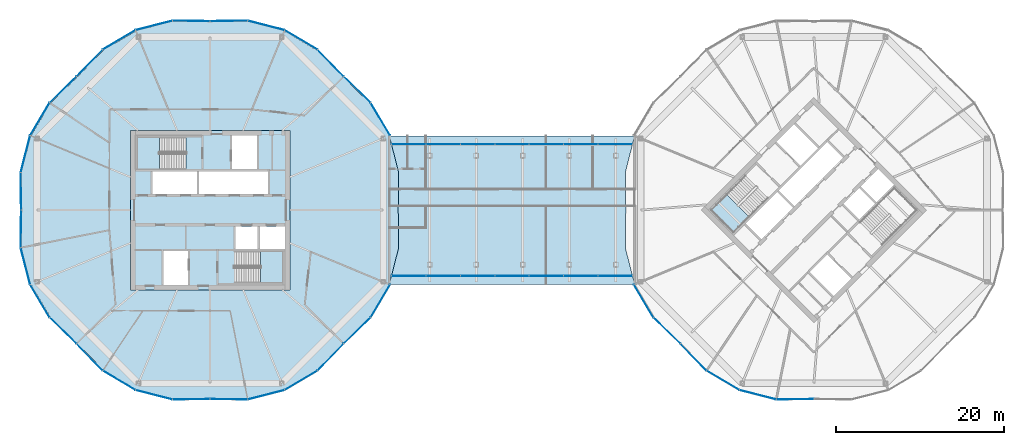
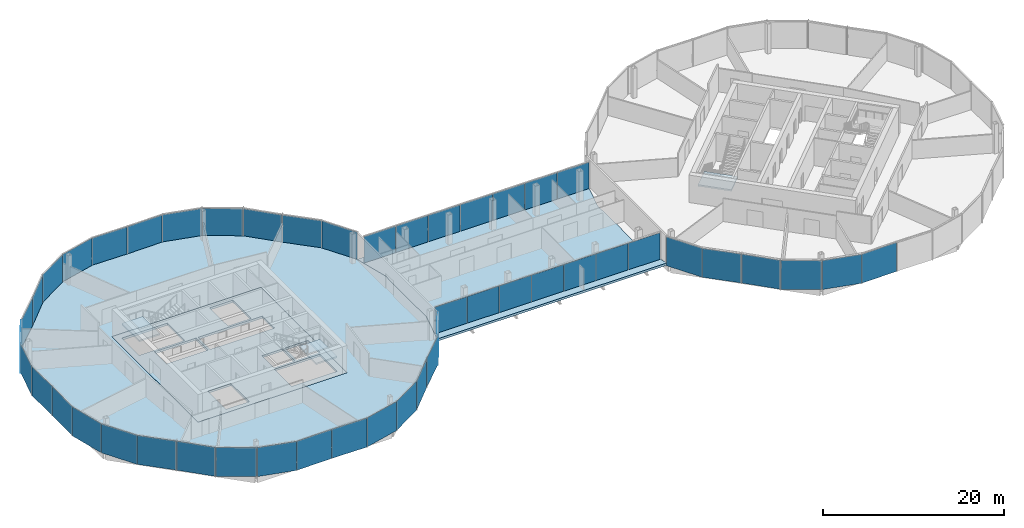
# One storey, part 17 of 25: 48 plates, 6 slabs, 15 elements without a shape of their own.
"""IFC4 building model written with IfcOpenShell, lengths in metres."""

from ifc_helpers import new_model, si_unit, direction, frame, origin, origin_2d, place, context, subcontext, project, spatial, polyline, rectangle, outline, extrude, material, layer, layer_set, type_object, element, aggregate, save


model = new_model("IFC4")

# Units and contexts
model_context = context("Model", 3, precision=1e-05, world=origin(), true_north=direction((0.0, 1.0)))
body_context = subcontext(model_context, "Body", "Model", "MODEL_VIEW")
ifc_project = project(units=[si_unit("LENGTHUNIT", "METRE"), si_unit("AREAUNIT", "SQUARE_METRE"), si_unit("VOLUMEUNIT", "CUBIC_METRE"), si_unit("PLANEANGLEUNIT", "RADIAN"), si_unit("MASSUNIT", "GRAM", prefix="KILO")], contexts=[model_context])

# Site, building, storey
site_placement = place(None, origin())
site = spatial("IfcSite", under=ifc_project, at=site_placement, CompositionType="ELEMENT")
building_placement = place(site_placement, origin())
building = spatial("IfcBuilding", under=site, at=building_placement, Name="Ogive Gate Towers", CompositionType="ELEMENT")
storey_placement = place(building_placement, frame((0.0, 0.0, 152.800048828125)))
storey = spatial("IfcBuildingStorey", under=building, at=storey_placement, Name="L36", CompositionType="ELEMENT", Elevation=152.800048828125)

# Slabs
ifc_material_1 = material(Name="Concrete C40/50", Category="concrete")
ifc_layer_1 = layer(ifc_material_1, 0.300048828125)
ifc_layer_set_1 = layer_set([ifc_layer_1], Name="Core slab C40/50 300 mm")
slab_type_1 = type_object("IfcSlabType", Name="Core slab C40/50 300 mm", PredefinedType="FLOOR", material=ifc_layer_set_1)
slab_1_placement = place(storey_placement, frame((0.0, 0.0, -0.300048828125)))
element("IfcSlab", 1, at=slab_1_placement, inside=storey, type_object=slab_type_1, Name="T1 L36 core slab", PredefinedType="FLOOR", context=body_context, shape_type="SweptSolid", body=[
    extrude(outline(polyline([(-45.5, -9.5), (-45.5, 9.5), (-26.5, 9.5), (-26.5, -9.5), (-45.5, -9.5)]), holes=[polyline([(-42.875, 1.949951171875), (-37.574951171875, 1.949951171875), (-37.574951171875, 4.625), (-42.875, 4.625), (-42.875, 1.949951171875)]), polyline([(-37.324951171875, 4.625), (-37.324951171875, 1.949951171875), (-29.125, 1.949951171875), (-29.125, 4.625), (-37.324951171875, 4.625)]), polyline([(-30.324951171875, -1.949951171875), (-32.97509765625, -1.949951171875), (-32.97509765625, -4.625), (-30.324951171875, -4.625), (-30.324951171875, -1.949951171875)]), polyline([(-27.10009765625, -4.625), (-27.10009765625, -1.949951171875), (-30.074951171875, -1.949951171875), (-30.074951171875, -4.625), (-27.10009765625, -4.625)]), polyline([(-33.375, 4.875), (-30.425048828125, 4.875), (-30.425048828125, 8.89990234375), (-33.375, 8.89990234375), (-33.375, 4.875)]), polyline([(-41.574951171875, -4.875), (-41.574951171875, -8.89990234375), (-38.625, -8.89990234375), (-38.625, -4.875), (-41.574951171875, -4.875)]), polyline([(-44.699951171875, 4.875), (-38.885009765625, 4.875), (-38.885009765625, 8.699951171875), (-44.699951171875, 8.699951171875), (-44.699951171875, 4.875)]), polyline([(-27.300048828125, -8.699951171875), (-27.300048828125, -4.875), (-33.114990234375, -4.875), (-33.114990234375, -8.699951171875), (-27.300048828125, -8.699951171875)])]), origin(), (0.0, 0.0, 1.0), 0.300048828125),
])
ifc_material_2 = material(Name="Concrete C35/45", Category="concrete")
ifc_layer_2 = layer(ifc_material_2, 0.300048828125)
ifc_layer_set_2 = layer_set([ifc_layer_2], Name="Floor slab 300")
slab_type_2 = type_object("IfcSlabType", Name="Floor slab 300", PredefinedType="FLOOR", material=ifc_layer_set_2)
slab_2_placement = place(storey_placement, frame((0.0, 0.0, -0.300048828125)))
element("IfcSlab", 2, at=slab_2_placement, inside=storey, type_object=slab_type_2, Name="T1/L36/SSL001", PredefinedType="FLOOR", context=body_context, shape_type="SweptSolid", body=[
    extrude(outline(polyline([(-13.510498046875, -4.473388671875), (-13.570068359375, 0.0), (-13.510498046875, 4.473388671875), (-14.630615234375, 8.8515625), (-16.934326171875, 12.7392578125), (-20.1396484375, 15.8603515625), (-23.2607421875, 19.065673828125), (-27.1484375, 21.369384765625), (-31.526611328125, 22.489501953125), (-36.0, 22.429931640625), (-40.473388671875, 22.489501953125), (-44.8515625, 21.369384765625), (-48.7392578125, 19.065673828125), (-51.8603515625, 15.8603515625), (-55.065673828125, 12.7392578125), (-57.369384765625, 8.8515625), (-58.489501953125, 4.473388671875), (-58.429931640625, 0.0), (-58.489501953125, -4.473388671875), (-57.369384765625, -8.8515625), (-55.065673828125, -12.7392578125), (-51.8603515625, -15.8603515625), (-48.7392578125, -19.065673828125), (-44.8515625, -21.369384765625), (-40.473388671875, -22.489501953125), (-36.0, -22.429931640625), (-31.526611328125, -22.489501953125), (-27.1484375, -21.369384765625), (-23.2607421875, -19.065673828125), (-20.1396484375, -15.8603515625), (-16.934326171875, -12.7392578125), (-14.630615234375, -8.8515625), (-13.510498046875, -4.473388671875)]), holes=[polyline([(-26.5, -9.5), (-45.5, -9.5), (-45.5, 9.5), (-26.5, 9.5), (-26.5, -9.5)])]), origin(), (0.0, 0.0, 1.0), 0.300048828125),
])
slab_3_placement = place(storey_placement, frame((0.0, 0.0, -0.300048828125)))
element("IfcSlab", 3, at=slab_3_placement, inside=storey, type_object=slab_type_2, Name="BR/L36/SSL001", PredefinedType="FLOOR", context=body_context, shape_type="SweptSolid", body=[
    extrude(outline(polyline([(-14.630615234375, -8.8515625), (14.630615234375, -8.8515625), (14.630615234375, -8.8515625), (13.510498046875, -4.473388671875), (13.570068359375, 0.0), (13.510498046875, 4.473388671875), (14.630615234375, 8.8515625), (-14.630615234375, 8.8515625), (-13.510498046875, 4.473388671875), (-13.570068359375, 0.0), (-13.510498046875, -4.473388671875), (-14.630615234375, -8.8515625), (-14.630615234375, -8.8515625)])), origin(), (0.0, 0.0, 1.0), 0.300048828125),
])

# Curtain wall, plates
ifc_material_3 = material(Name="Pale metal aluminium", Category="aluminium")
curtain_wall_type_1 = type_object("IfcCurtainWallType", Name="Gate block facade", PredefinedType="NOTDEFINED", material=ifc_material_3)
curtain_wall_1_placement = place(storey_placement, origin())
curtain_wall_1 = element("IfcCurtainWall", 4, at=curtain_wall_1_placement, inside=storey, type_object=curtain_wall_type_1, Name="CW3 BR ECW01", PredefinedType="NOTDEFINED")
ifc_material_4 = material(Name="Clear glass", Category="glass")
ifc_layer_3 = layer(ifc_material_4, 0.028076171875)
ifc_layer_set_3 = layer_set([ifc_layer_3], Name="Gate block facade glass panel")
plate_type_1 = type_object("IfcPlateType", Name="Gate block facade glass panel", PredefinedType="CURTAIN_PANEL", material=ifc_layer_set_3)
plate_1_placement = place(storey_placement, frame((-12.3212890625, -7.8515625, -0.30029296875), z_axis=(0.0, 0.0, 1.0), x_axis=(1.0, 0.0, 0.0)))
plate_1 = element("IfcPlate", 5, at=plate_1_placement, type_object=plate_type_1, Name="CW3 glass panel", PredefinedType="CURTAIN_PANEL", context=body_context, shape_type="SweptSolid", body=[
    extrude(rectangle(XDim=4.052978515625, YDim=0.028076171875, at=origin_2d()), origin(), (0.0, 0.0, 1.0), 3.884033203125),
])
plate_2_placement = place(storey_placement, frame((-8.214111328125, -7.8515625, -0.30029296875), z_axis=(0.0, 0.0, 1.0), x_axis=(1.0, 0.0, 0.0)))
plate_2 = element("IfcPlate", 6, at=plate_2_placement, type_object=plate_type_1, Name="CW3 glass panel", PredefinedType="CURTAIN_PANEL", context=body_context, shape_type="SweptSolid", body=[
    extrude(rectangle(XDim=4.052978515625, YDim=0.028076171875, at=origin_2d()), origin(), (0.0, 0.0, 1.0), 3.884033203125),
])
plate_3_placement = place(storey_placement, frame((-4.107177734375, -7.8515625, -0.30029296875), z_axis=(0.0, 0.0, 1.0), x_axis=(1.0, 0.0, 0.0)))
plate_3 = element("IfcPlate", 7, at=plate_3_placement, type_object=plate_type_1, Name="CW3 glass panel", PredefinedType="CURTAIN_PANEL", context=body_context, shape_type="SweptSolid", body=[
    extrude(rectangle(XDim=4.052978515625, YDim=0.028076171875, at=origin_2d()), origin(), (0.0, 0.0, 1.0), 3.884033203125),
])
plate_4_placement = place(storey_placement, frame((0.0, -7.8515625, -0.30029296875), z_axis=(0.0, 0.0, 1.0), x_axis=(1.0, 0.0, 0.0)))
plate_4 = element("IfcPlate", 8, at=plate_4_placement, type_object=plate_type_1, Name="CW3 glass panel", PredefinedType="CURTAIN_PANEL", context=body_context, shape_type="SweptSolid", body=[
    extrude(rectangle(XDim=4.052978515625, YDim=0.028076171875, at=origin_2d()), origin(), (0.0, 0.0, 1.0), 3.884033203125),
])
plate_5_placement = place(storey_placement, frame((4.107177734375, -7.8515625, -0.30029296875), z_axis=(0.0, 0.0, 1.0), x_axis=(1.0, 0.0, 0.0)))
plate_5 = element("IfcPlate", 9, at=plate_5_placement, type_object=plate_type_1, Name="CW3 glass panel", PredefinedType="CURTAIN_PANEL", context=body_context, shape_type="SweptSolid", body=[
    extrude(rectangle(XDim=4.052978515625, YDim=0.028076171875, at=origin_2d()), origin(), (0.0, 0.0, 1.0), 3.884033203125),
])
plate_6_placement = place(storey_placement, frame((8.214111328125, -7.8515625, -0.30029296875), z_axis=(0.0, 0.0, 1.0), x_axis=(1.0, 0.0, 0.0)))
plate_6 = element("IfcPlate", 10, at=plate_6_placement, type_object=plate_type_1, Name="CW3 glass panel", PredefinedType="CURTAIN_PANEL", context=body_context, shape_type="SweptSolid", body=[
    extrude(rectangle(XDim=4.052978515625, YDim=0.028076171875, at=origin_2d()), origin(), (0.0, 0.0, 1.0), 3.884033203125),
])
plate_7_placement = place(storey_placement, frame((12.3212890625, -7.8515625, -0.30029296875), z_axis=(0.0, 0.0, 1.0), x_axis=(1.0, 0.0, 0.0)))
plate_7 = element("IfcPlate", 11, at=plate_7_placement, type_object=plate_type_1, Name="CW3 glass panel", PredefinedType="CURTAIN_PANEL", context=body_context, shape_type="SweptSolid", body=[
    extrude(rectangle(XDim=4.052978515625, YDim=0.028076171875, at=origin_2d()), origin(), (0.0, 0.0, 1.0), 3.884033203125),
])
aggregate(curtain_wall_1, [plate_1, plate_2, plate_3, plate_4, plate_5, plate_6, plate_7])

curtain_wall_2_placement = place(storey_placement, origin())
curtain_wall_2 = element("IfcCurtainWall", 12, at=curtain_wall_2_placement, inside=storey, type_object=curtain_wall_type_1, Name="CW3 BR ECW02", PredefinedType="NOTDEFINED")
plate_8_placement = place(storey_placement, frame((12.3212890625, 7.8515625, -0.30029296875), z_axis=(0.0, 0.0, 1.0), x_axis=(-1.0, 0.0, 0.0)))
plate_8 = element("IfcPlate", 13, at=plate_8_placement, type_object=plate_type_1, Name="CW3 glass panel", PredefinedType="CURTAIN_PANEL", context=body_context, shape_type="SweptSolid", body=[
    extrude(rectangle(XDim=4.052978515625, YDim=0.028076171875, at=origin_2d()), origin(), (0.0, 0.0, 1.0), 3.884033203125),
])
plate_9_placement = place(storey_placement, frame((8.214111328125, 7.8515625, -0.30029296875), z_axis=(0.0, 0.0, 1.0), x_axis=(-1.0, 0.0, 0.0)))
plate_9 = element("IfcPlate", 14, at=plate_9_placement, type_object=plate_type_1, Name="CW3 glass panel", PredefinedType="CURTAIN_PANEL", context=body_context, shape_type="SweptSolid", body=[
    extrude(rectangle(XDim=4.052978515625, YDim=0.028076171875, at=origin_2d()), origin(), (0.0, 0.0, 1.0), 3.884033203125),
])
plate_10_placement = place(storey_placement, frame((4.107177734375, 7.8515625, -0.30029296875), z_axis=(0.0, 0.0, 1.0), x_axis=(-1.0, 0.0, 0.0)))
plate_10 = element("IfcPlate", 15, at=plate_10_placement, type_object=plate_type_1, Name="CW3 glass panel", PredefinedType="CURTAIN_PANEL", context=body_context, shape_type="SweptSolid", body=[
    extrude(rectangle(XDim=4.052978515625, YDim=0.028076171875, at=origin_2d()), origin(), (0.0, 0.0, 1.0), 3.884033203125),
])
plate_11_placement = place(storey_placement, frame((0.0, 7.8515625, -0.30029296875), z_axis=(0.0, 0.0, 1.0), x_axis=(-1.0, 0.0, 0.0)))
plate_11 = element("IfcPlate", 16, at=plate_11_placement, type_object=plate_type_1, Name="CW3 glass panel", PredefinedType="CURTAIN_PANEL", context=body_context, shape_type="SweptSolid", body=[
    extrude(rectangle(XDim=4.052978515625, YDim=0.028076171875, at=origin_2d()), origin(), (0.0, 0.0, 1.0), 3.884033203125),
])
plate_12_placement = place(storey_placement, frame((-4.107177734375, 7.8515625, -0.30029296875), z_axis=(0.0, 0.0, 1.0), x_axis=(-1.0, 0.0, 0.0)))
plate_12 = element("IfcPlate", 17, at=plate_12_placement, type_object=plate_type_1, Name="CW3 glass panel", PredefinedType="CURTAIN_PANEL", context=body_context, shape_type="SweptSolid", body=[
    extrude(rectangle(XDim=4.052978515625, YDim=0.028076171875, at=origin_2d()), origin(), (0.0, 0.0, 1.0), 3.884033203125),
])
plate_13_placement = place(storey_placement, frame((-8.214111328125, 7.8515625, -0.30029296875), z_axis=(0.0, 0.0, 1.0), x_axis=(-1.0, 0.0, 0.0)))
plate_13 = element("IfcPlate", 18, at=plate_13_placement, type_object=plate_type_1, Name="CW3 glass panel", PredefinedType="CURTAIN_PANEL", context=body_context, shape_type="SweptSolid", body=[
    extrude(rectangle(XDim=4.052978515625, YDim=0.028076171875, at=origin_2d()), origin(), (0.0, 0.0, 1.0), 3.884033203125),
])
plate_14_placement = place(storey_placement, frame((-12.3212890625, 7.8515625, -0.30029296875), z_axis=(0.0, 0.0, 1.0), x_axis=(-1.0, 0.0, 0.0)))
plate_14 = element("IfcPlate", 19, at=plate_14_placement, type_object=plate_type_1, Name="CW3 glass panel", PredefinedType="CURTAIN_PANEL", context=body_context, shape_type="SweptSolid", body=[
    extrude(rectangle(XDim=4.052978515625, YDim=0.028076171875, at=origin_2d()), origin(), (0.0, 0.0, 1.0), 3.884033203125),
])
aggregate(curtain_wall_2, [plate_8, plate_9, plate_10, plate_11, plate_12, plate_13, plate_14])

# Stair, slab
stair_type = type_object("IfcStairType", Name="Escape stair 1840 wide", PredefinedType="HALF_TURN_STAIR", material=ifc_material_1)
stair_1_placement = place(storey_placement, origin())
stair_1 = element("IfcStair", 20, at=stair_1_placement, inside=storey, type_object=stair_type, Name="L36 Escape stair 1", PredefinedType="HALF_TURN_STAIR")
ifc_layer_4 = layer(ifc_material_1, 0.199951171875)
ifc_layer_set_4 = layer_set([ifc_layer_4], Name="Stair landing 200 mm")
slab_type_3 = type_object("IfcSlabType", Name="Stair landing 200 mm", PredefinedType="LANDING", material=ifc_layer_set_4)
slab_4_placement = place(storey_placement, frame((0.0, 0.0, 1.800048828125)))
slab_4 = element("IfcSlab", 21, at=slab_4_placement, type_object=slab_type_3, Name="ST1 landing 1", PredefinedType="LANDING", context=body_context, shape_type="SweptSolid", body=[
    extrude(outline(polyline([(-42.027587890625, 8.699951171875), (-44.699951171875, 8.699951171875), (-44.699951171875, 4.875), (-42.027587890625, 4.875), (-42.027587890625, 8.699951171875)])), origin(), (0.0, 0.0, 1.0), 0.199951171875),
])
aggregate(stair_1, [slab_4])

stair_2_placement = place(storey_placement, origin())
stair_2 = element("IfcStair", 22, at=stair_2_placement, inside=storey, type_object=stair_type, Name="L36 Escape stair 2", PredefinedType="HALF_TURN_STAIR")
slab_5_placement = place(storey_placement, frame((0.0, 0.0, 1.800048828125)))
slab_5 = element("IfcSlab", 23, at=slab_5_placement, type_object=slab_type_3, Name="ST2 landing 1", PredefinedType="LANDING", context=body_context, shape_type="SweptSolid", body=[
    extrude(outline(polyline([(-29.972412109375, -8.699951171875), (-27.300048828125, -8.699951171875), (-27.300048828125, -4.875), (-29.972412109375, -4.875), (-29.972412109375, -8.699951171875)])), origin(), (0.0, 0.0, 1.0), 0.199951171875),
])
aggregate(stair_2, [slab_5])

stair_3_placement = place(storey_placement, origin())
stair_3 = element("IfcStair", 24, at=stair_3_placement, inside=storey, type_object=stair_type, Name="L36 Escape stair 1", PredefinedType="HALF_TURN_STAIR")
slab_6_placement = place(storey_placement, frame((0.0, 0.0, 1.800048828125)))
slab_6 = element("IfcSlab", 25, at=slab_6_placement, type_object=slab_type_3, Name="ST1 landing 1", PredefinedType="LANDING", context=body_context, shape_type="SweptSolid", body=[
    extrude(outline(polyline([(25.586181640625, 1.8896484375), (23.6962890625, 0.0), (26.401123046875, -2.70458984375), (28.290771484375, -0.81494140625), (25.586181640625, 1.8896484375)])), origin(), (0.0, 0.0, 1.0), 0.199951171875),
])
aggregate(stair_3, [slab_6])

# Curtain wall, plates
curtain_wall_type_2 = type_object("IfcCurtainWallType", Name="Tower unitised wall, high zone", PredefinedType="NOTDEFINED", material=ifc_material_3)
curtain_wall_3_placement = place(storey_placement, origin())
curtain_wall_3 = element("IfcCurtainWall", 26, at=curtain_wall_3_placement, inside=storey, type_object=curtain_wall_type_2, Name="CW2 T1 ECW01", PredefinedType="NOTDEFINED")
ifc_layer_5 = layer(ifc_material_4, 0.028076171875)
ifc_layer_set_5 = layer_set([ifc_layer_5], Name="Tower unitised wall, high zone glass panel")
plate_type_2 = type_object("IfcPlateType", Name="Tower unitised wall, high zone glass panel", PredefinedType="CURTAIN_PANEL", material=ifc_layer_set_5)
plate_15_placement = place(storey_placement, frame((-15.6953125, 10.84423828125, -0.30029296875), z_axis=(0.0, 0.0, 1.0), x_axis=(-0.509777345844, 0.860306374302, 0.0)))
plate_15 = element("IfcPlate", 27, at=plate_15_placement, type_object=plate_type_2, Name="CW2 glass panel", PredefinedType="CURTAIN_PANEL", context=body_context, shape_type="SweptSolid", body=[
    extrude(rectangle(XDim=4.48876953125, YDim=0.028076171875, at=origin_2d()), origin(), (0.0, 0.0, 1.0), 3.904052734375),
])
plate_16_placement = place(storey_placement, frame((-18.46337890625, 14.36767578125, -0.30029296875), z_axis=(0.0, 0.0, 1.0), x_axis=(-0.716435896374, 0.697652926882, 0.0)))
plate_16 = element("IfcPlate", 28, at=plate_16_placement, type_object=plate_type_2, Name="CW2 glass panel", PredefinedType="CURTAIN_PANEL", context=body_context, shape_type="SweptSolid", body=[
    extrude(rectangle(XDim=4.427978515625, YDim=0.028076171875, at=origin_2d()), origin(), (0.0, 0.0, 1.0), 3.904052734375),
])
aggregate(curtain_wall_3, [plate_15, plate_16])

curtain_wall_4_placement = place(storey_placement, origin())
curtain_wall_4 = element("IfcCurtainWall", 29, at=curtain_wall_4_placement, inside=storey, type_object=curtain_wall_type_2, Name="CW2 T1 ECW02", PredefinedType="NOTDEFINED")
plate_17_placement = place(storey_placement, frame((-21.63232421875, 17.53662109375, -0.30029296875), z_axis=(0.0, 0.0, 1.0), x_axis=(-0.697652926882, 0.716435896374, 0.0)))
plate_17 = element("IfcPlate", 30, at=plate_17_placement, type_object=plate_type_2, Name="CW2 glass panel", PredefinedType="CURTAIN_PANEL", context=body_context, shape_type="SweptSolid", body=[
    extrude(rectangle(XDim=4.427978515625, YDim=0.028076171875, at=origin_2d()), origin(), (0.0, 0.0, 1.0), 3.904052734375),
])
plate_18_placement = place(storey_placement, frame((-25.154052734375, 20.3037109375, -0.30029296875), z_axis=(0.0, 0.0, 1.0), x_axis=(-0.860306374302, 0.509777345844, 0.0)))
plate_18 = element("IfcPlate", 31, at=plate_18_placement, type_object=plate_type_2, Name="CW2 glass panel", PredefinedType="CURTAIN_PANEL", context=body_context, shape_type="SweptSolid", body=[
    extrude(rectangle(XDim=4.48486328125, YDim=0.028076171875, at=origin_2d()), origin(), (0.0, 0.0, 1.0), 3.904052734375),
])
plate_19_placement = place(storey_placement, frame((-29.312255859375, 22.026123046875, -0.30029296875), z_axis=(0.0, 0.0, 1.0), x_axis=(-0.968795489308, 0.247861453025, 0.0)))
plate_19 = element("IfcPlate", 32, at=plate_19_placement, type_object=plate_type_2, Name="CW2 glass panel", PredefinedType="CURTAIN_PANEL", context=body_context, shape_type="SweptSolid", body=[
    extrude(rectangle(XDim=4.484619140625, YDim=0.028076171875, at=origin_2d()), origin(), (0.0, 0.0, 1.0), 3.904052734375),
])
plate_20_placement = place(storey_placement, frame((-33.75927734375, 22.559814453125, -0.30029296875), z_axis=(0.0, 0.0, 1.0), x_axis=(-0.999911796124, -0.013281565099, 0.0)))
plate_20 = element("IfcPlate", 33, at=plate_20_placement, type_object=plate_type_2, Name="CW2 glass panel", PredefinedType="CURTAIN_PANEL", context=body_context, shape_type="SweptSolid", body=[
    extrude(rectangle(XDim=4.427978515625, YDim=0.028076171875, at=origin_2d()), origin(), (0.0, 0.0, 1.0), 3.904052734375),
])
aggregate(curtain_wall_4, [plate_17, plate_18, plate_19, plate_20])

curtain_wall_5_placement = place(storey_placement, origin())
curtain_wall_5 = element("IfcCurtainWall", 34, at=curtain_wall_5_placement, inside=storey, type_object=curtain_wall_type_2, Name="CW2 T1 ECW03", PredefinedType="NOTDEFINED")
plate_21_placement = place(storey_placement, frame((-38.24072265625, 22.559814453125, -0.30029296875), z_axis=(0.0, 0.0, 1.0), x_axis=(-0.999911796124, 0.013281565099, 0.0)))
plate_21 = element("IfcPlate", 35, at=plate_21_placement, type_object=plate_type_2, Name="CW2 glass panel", PredefinedType="CURTAIN_PANEL", context=body_context, shape_type="SweptSolid", body=[
    extrude(rectangle(XDim=4.427978515625, YDim=0.028076171875, at=origin_2d()), origin(), (0.0, 0.0, 1.0), 3.904052734375),
])
plate_22_placement = place(storey_placement, frame((-42.687744140625, 22.026123046875, -0.30029296875), z_axis=(0.0, 0.0, 1.0), x_axis=(-0.968795489308, -0.247861453025, 0.0)))
plate_22 = element("IfcPlate", 36, at=plate_22_placement, type_object=plate_type_2, Name="CW2 glass panel", PredefinedType="CURTAIN_PANEL", context=body_context, shape_type="SweptSolid", body=[
    extrude(rectangle(XDim=4.484619140625, YDim=0.028076171875, at=origin_2d()), origin(), (0.0, 0.0, 1.0), 3.904052734375),
])
plate_23_placement = place(storey_placement, frame((-46.845947265625, 20.3037109375, -0.30029296875), z_axis=(0.0, 0.0, 1.0), x_axis=(-0.860306374302, -0.509777345844, 0.0)))
plate_23 = element("IfcPlate", 37, at=plate_23_placement, type_object=plate_type_2, Name="CW2 glass panel", PredefinedType="CURTAIN_PANEL", context=body_context, shape_type="SweptSolid", body=[
    extrude(rectangle(XDim=4.48486328125, YDim=0.028076171875, at=origin_2d()), origin(), (0.0, 0.0, 1.0), 3.904052734375),
])
plate_24_placement = place(storey_placement, frame((-50.36767578125, 17.53662109375, -0.30029296875), z_axis=(0.0, 0.0, 1.0), x_axis=(-0.697652926882, -0.716435896374, 0.0)))
plate_24 = element("IfcPlate", 38, at=plate_24_placement, type_object=plate_type_2, Name="CW2 glass panel", PredefinedType="CURTAIN_PANEL", context=body_context, shape_type="SweptSolid", body=[
    extrude(rectangle(XDim=4.427978515625, YDim=0.028076171875, at=origin_2d()), origin(), (0.0, 0.0, 1.0), 3.904052734375),
])
aggregate(curtain_wall_5, [plate_21, plate_22, plate_23, plate_24])

curtain_wall_6_placement = place(storey_placement, origin())
curtain_wall_6 = element("IfcCurtainWall", 39, at=curtain_wall_6_placement, inside=storey, type_object=curtain_wall_type_2, Name="CW2 T1 ECW04", PredefinedType="NOTDEFINED")
plate_25_placement = place(storey_placement, frame((-53.53662109375, 14.36767578125, -0.30029296875), z_axis=(0.0, 0.0, 1.0), x_axis=(-0.716435896374, -0.697652926882, 0.0)))
plate_25 = element("IfcPlate", 40, at=plate_25_placement, type_object=plate_type_2, Name="CW2 glass panel", PredefinedType="CURTAIN_PANEL", context=body_context, shape_type="SweptSolid", body=[
    extrude(rectangle(XDim=4.427978515625, YDim=0.028076171875, at=origin_2d()), origin(), (0.0, 0.0, 1.0), 3.904052734375),
])
plate_26_placement = place(storey_placement, frame((-56.3037109375, 10.845947265625, -0.30029296875), z_axis=(0.0, 0.0, 1.0), x_axis=(-0.509777345844, -0.860306374302, 0.0)))
plate_26 = element("IfcPlate", 41, at=plate_26_placement, type_object=plate_type_2, Name="CW2 glass panel", PredefinedType="CURTAIN_PANEL", context=body_context, shape_type="SweptSolid", body=[
    extrude(rectangle(XDim=4.48486328125, YDim=0.028076171875, at=origin_2d()), origin(), (0.0, 0.0, 1.0), 3.904052734375),
])
plate_27_placement = place(storey_placement, frame((-58.026123046875, 6.687744140625, -0.30029296875), z_axis=(0.0, 0.0, 1.0), x_axis=(-0.247861453025, -0.968795489308, 0.0)))
plate_27 = element("IfcPlate", 42, at=plate_27_placement, type_object=plate_type_2, Name="CW2 glass panel", PredefinedType="CURTAIN_PANEL", context=body_context, shape_type="SweptSolid", body=[
    extrude(rectangle(XDim=4.484619140625, YDim=0.028076171875, at=origin_2d()), origin(), (0.0, 0.0, 1.0), 3.904052734375),
])
plate_28_placement = place(storey_placement, frame((-58.559814453125, 2.24072265625, -0.30029296875), z_axis=(0.0, 0.0, 1.0), x_axis=(0.013281565099, -0.999911796124, 0.0)))
plate_28 = element("IfcPlate", 43, at=plate_28_placement, type_object=plate_type_2, Name="CW2 glass panel", PredefinedType="CURTAIN_PANEL", context=body_context, shape_type="SweptSolid", body=[
    extrude(rectangle(XDim=4.427978515625, YDim=0.028076171875, at=origin_2d()), origin(), (0.0, 0.0, 1.0), 3.904052734375),
])
aggregate(curtain_wall_6, [plate_25, plate_26, plate_27, plate_28])

curtain_wall_7_placement = place(storey_placement, origin())
curtain_wall_7 = element("IfcCurtainWall", 44, at=curtain_wall_7_placement, inside=storey, type_object=curtain_wall_type_2, Name="CW2 T1 ECW05", PredefinedType="NOTDEFINED")
plate_29_placement = place(storey_placement, frame((-58.559814453125, -2.24072265625, -0.30029296875), z_axis=(0.0, 0.0, 1.0), x_axis=(-0.013281565099, -0.999911796124, 0.0)))
plate_29 = element("IfcPlate", 45, at=plate_29_placement, type_object=plate_type_2, Name="CW2 glass panel", PredefinedType="CURTAIN_PANEL", context=body_context, shape_type="SweptSolid", body=[
    extrude(rectangle(XDim=4.427978515625, YDim=0.028076171875, at=origin_2d()), origin(), (0.0, 0.0, 1.0), 3.904052734375),
])
plate_30_placement = place(storey_placement, frame((-58.026123046875, -6.687744140625, -0.30029296875), z_axis=(0.0, 0.0, 1.0), x_axis=(0.247861453025, -0.968795489308, 0.0)))
plate_30 = element("IfcPlate", 46, at=plate_30_placement, type_object=plate_type_2, Name="CW2 glass panel", PredefinedType="CURTAIN_PANEL", context=body_context, shape_type="SweptSolid", body=[
    extrude(rectangle(XDim=4.484619140625, YDim=0.028076171875, at=origin_2d()), origin(), (0.0, 0.0, 1.0), 3.904052734375),
])
plate_31_placement = place(storey_placement, frame((-56.3037109375, -10.845947265625, -0.30029296875), z_axis=(0.0, 0.0, 1.0), x_axis=(0.509777345844, -0.860306374302, 0.0)))
plate_31 = element("IfcPlate", 47, at=plate_31_placement, type_object=plate_type_2, Name="CW2 glass panel", PredefinedType="CURTAIN_PANEL", context=body_context, shape_type="SweptSolid", body=[
    extrude(rectangle(XDim=4.48486328125, YDim=0.028076171875, at=origin_2d()), origin(), (0.0, 0.0, 1.0), 3.904052734375),
])
plate_32_placement = place(storey_placement, frame((-53.53662109375, -14.36767578125, -0.30029296875), z_axis=(0.0, 0.0, 1.0), x_axis=(0.716435896374, -0.697652926882, 0.0)))
plate_32 = element("IfcPlate", 48, at=plate_32_placement, type_object=plate_type_2, Name="CW2 glass panel", PredefinedType="CURTAIN_PANEL", context=body_context, shape_type="SweptSolid", body=[
    extrude(rectangle(XDim=4.427978515625, YDim=0.028076171875, at=origin_2d()), origin(), (0.0, 0.0, 1.0), 3.904052734375),
])
aggregate(curtain_wall_7, [plate_29, plate_30, plate_31, plate_32])

curtain_wall_8_placement = place(storey_placement, origin())
curtain_wall_8 = element("IfcCurtainWall", 49, at=curtain_wall_8_placement, inside=storey, type_object=curtain_wall_type_2, Name="CW2 T1 ECW06", PredefinedType="NOTDEFINED")
plate_33_placement = place(storey_placement, frame((-50.36767578125, -17.53662109375, -0.30029296875), z_axis=(0.0, 0.0, 1.0), x_axis=(0.697652926882, -0.716435896374, 0.0)))
plate_33 = element("IfcPlate", 50, at=plate_33_placement, type_object=plate_type_2, Name="CW2 glass panel", PredefinedType="CURTAIN_PANEL", context=body_context, shape_type="SweptSolid", body=[
    extrude(rectangle(XDim=4.427978515625, YDim=0.028076171875, at=origin_2d()), origin(), (0.0, 0.0, 1.0), 3.904052734375),
])
plate_34_placement = place(storey_placement, frame((-46.845947265625, -20.3037109375, -0.30029296875), z_axis=(0.0, 0.0, 1.0), x_axis=(0.860306374302, -0.509777345844, 0.0)))
plate_34 = element("IfcPlate", 51, at=plate_34_placement, type_object=plate_type_2, Name="CW2 glass panel", PredefinedType="CURTAIN_PANEL", context=body_context, shape_type="SweptSolid", body=[
    extrude(rectangle(XDim=4.48486328125, YDim=0.028076171875, at=origin_2d()), origin(), (0.0, 0.0, 1.0), 3.904052734375),
])
plate_35_placement = place(storey_placement, frame((-42.687744140625, -22.026123046875, -0.30029296875), z_axis=(0.0, 0.0, 1.0), x_axis=(0.968795489308, -0.247861453025, 0.0)))
plate_35 = element("IfcPlate", 52, at=plate_35_placement, type_object=plate_type_2, Name="CW2 glass panel", PredefinedType="CURTAIN_PANEL", context=body_context, shape_type="SweptSolid", body=[
    extrude(rectangle(XDim=4.484619140625, YDim=0.028076171875, at=origin_2d()), origin(), (0.0, 0.0, 1.0), 3.904052734375),
])
plate_36_placement = place(storey_placement, frame((-38.24072265625, -22.559814453125, -0.30029296875), z_axis=(0.0, 0.0, 1.0), x_axis=(0.999911796124, 0.013281565099, 0.0)))
plate_36 = element("IfcPlate", 53, at=plate_36_placement, type_object=plate_type_2, Name="CW2 glass panel", PredefinedType="CURTAIN_PANEL", context=body_context, shape_type="SweptSolid", body=[
    extrude(rectangle(XDim=4.427978515625, YDim=0.028076171875, at=origin_2d()), origin(), (0.0, 0.0, 1.0), 3.904052734375),
])
aggregate(curtain_wall_8, [plate_33, plate_34, plate_35, plate_36])

curtain_wall_9_placement = place(storey_placement, origin())
curtain_wall_9 = element("IfcCurtainWall", 54, at=curtain_wall_9_placement, inside=storey, type_object=curtain_wall_type_2, Name="CW2 T1 ECW07", PredefinedType="NOTDEFINED")
plate_37_placement = place(storey_placement, frame((-33.75927734375, -22.559814453125, -0.30029296875), z_axis=(0.0, 0.0, 1.0), x_axis=(0.999911796124, -0.013281565099, 0.0)))
plate_37 = element("IfcPlate", 55, at=plate_37_placement, type_object=plate_type_2, Name="CW2 glass panel", PredefinedType="CURTAIN_PANEL", context=body_context, shape_type="SweptSolid", body=[
    extrude(rectangle(XDim=4.427978515625, YDim=0.028076171875, at=origin_2d()), origin(), (0.0, 0.0, 1.0), 3.904052734375),
])
plate_38_placement = place(storey_placement, frame((-29.312255859375, -22.026123046875, -0.30029296875), z_axis=(0.0, 0.0, 1.0), x_axis=(0.968795489308, 0.247861453025, 0.0)))
plate_38 = element("IfcPlate", 56, at=plate_38_placement, type_object=plate_type_2, Name="CW2 glass panel", PredefinedType="CURTAIN_PANEL", context=body_context, shape_type="SweptSolid", body=[
    extrude(rectangle(XDim=4.484619140625, YDim=0.028076171875, at=origin_2d()), origin(), (0.0, 0.0, 1.0), 3.904052734375),
])
plate_39_placement = place(storey_placement, frame((-25.154052734375, -20.3037109375, -0.30029296875), z_axis=(0.0, 0.0, 1.0), x_axis=(0.860306374302, 0.509777345844, 0.0)))
plate_39 = element("IfcPlate", 57, at=plate_39_placement, type_object=plate_type_2, Name="CW2 glass panel", PredefinedType="CURTAIN_PANEL", context=body_context, shape_type="SweptSolid", body=[
    extrude(rectangle(XDim=4.48486328125, YDim=0.028076171875, at=origin_2d()), origin(), (0.0, 0.0, 1.0), 3.904052734375),
])
plate_40_placement = place(storey_placement, frame((-21.63232421875, -17.53662109375, -0.30029296875), z_axis=(0.0, 0.0, 1.0), x_axis=(0.697652926882, 0.716435896374, 0.0)))
plate_40 = element("IfcPlate", 58, at=plate_40_placement, type_object=plate_type_2, Name="CW2 glass panel", PredefinedType="CURTAIN_PANEL", context=body_context, shape_type="SweptSolid", body=[
    extrude(rectangle(XDim=4.427978515625, YDim=0.028076171875, at=origin_2d()), origin(), (0.0, 0.0, 1.0), 3.904052734375),
])
aggregate(curtain_wall_9, [plate_37, plate_38, plate_39, plate_40])

curtain_wall_10_placement = place(storey_placement, origin())
curtain_wall_10 = element("IfcCurtainWall", 59, at=curtain_wall_10_placement, inside=storey, type_object=curtain_wall_type_2, Name="CW2 T1 ECW08", PredefinedType="NOTDEFINED")
plate_41_placement = place(storey_placement, frame((-18.46337890625, -14.36767578125, -0.30029296875), z_axis=(0.0, 0.0, 1.0), x_axis=(0.716435896374, 0.697652926882, 0.0)))
plate_41 = element("IfcPlate", 60, at=plate_41_placement, type_object=plate_type_2, Name="CW2 glass panel", PredefinedType="CURTAIN_PANEL", context=body_context, shape_type="SweptSolid", body=[
    extrude(rectangle(XDim=4.427978515625, YDim=0.028076171875, at=origin_2d()), origin(), (0.0, 0.0, 1.0), 3.904052734375),
])
plate_42_placement = place(storey_placement, frame((-15.6953125, -10.84423828125, -0.30029296875), z_axis=(0.0, 0.0, 1.0), x_axis=(0.509777345844, 0.860306374302, 0.0)))
plate_42 = element("IfcPlate", 61, at=plate_42_placement, type_object=plate_type_2, Name="CW2 glass panel", PredefinedType="CURTAIN_PANEL", context=body_context, shape_type="SweptSolid", body=[
    extrude(rectangle(XDim=4.48876953125, YDim=0.028076171875, at=origin_2d()), origin(), (0.0, 0.0, 1.0), 3.904052734375),
])
aggregate(curtain_wall_10, [plate_41, plate_42])

curtain_wall_11_placement = place(storey_placement, origin())
curtain_wall_11 = element("IfcCurtainWall", 62, at=curtain_wall_11_placement, inside=storey, type_object=curtain_wall_type_2, Name="CW2 T2 ECW05", PredefinedType="NOTDEFINED")
plate_43_placement = place(storey_placement, frame((15.6953125, -10.84423828125, -0.30029296875), z_axis=(0.0, 0.0, 1.0), x_axis=(0.509777345844, -0.860306374302, 0.0)))
plate_43 = element("IfcPlate", 63, at=plate_43_placement, type_object=plate_type_2, Name="CW2 glass panel", PredefinedType="CURTAIN_PANEL", context=body_context, shape_type="SweptSolid", body=[
    extrude(rectangle(XDim=4.48876953125, YDim=0.028076171875, at=origin_2d()), origin(), (0.0, 0.0, 1.0), 3.904052734375),
])
plate_44_placement = place(storey_placement, frame((18.46337890625, -14.36767578125, -0.30029296875), z_axis=(0.0, 0.0, 1.0), x_axis=(0.716435896374, -0.697652926882, 0.0)))
plate_44 = element("IfcPlate", 64, at=plate_44_placement, type_object=plate_type_2, Name="CW2 glass panel", PredefinedType="CURTAIN_PANEL", context=body_context, shape_type="SweptSolid", body=[
    extrude(rectangle(XDim=4.427978515625, YDim=0.028076171875, at=origin_2d()), origin(), (0.0, 0.0, 1.0), 3.904052734375),
])
aggregate(curtain_wall_11, [plate_43, plate_44])

curtain_wall_12_placement = place(storey_placement, origin())
curtain_wall_12 = element("IfcCurtainWall", 65, at=curtain_wall_12_placement, inside=storey, type_object=curtain_wall_type_2, Name="CW2 T2 ECW06", PredefinedType="NOTDEFINED")
plate_45_placement = place(storey_placement, frame((21.63232421875, -17.53662109375, -0.30029296875), z_axis=(0.0, 0.0, 1.0), x_axis=(0.697652926882, -0.716435896374, 0.0)))
plate_45 = element("IfcPlate", 66, at=plate_45_placement, type_object=plate_type_2, Name="CW2 glass panel", PredefinedType="CURTAIN_PANEL", context=body_context, shape_type="SweptSolid", body=[
    extrude(rectangle(XDim=4.427978515625, YDim=0.028076171875, at=origin_2d()), origin(), (0.0, 0.0, 1.0), 3.904052734375),
])
plate_46_placement = place(storey_placement, frame((25.154052734375, -20.3037109375, -0.30029296875), z_axis=(0.0, 0.0, 1.0), x_axis=(0.860306374302, -0.509777345844, 0.0)))
plate_46 = element("IfcPlate", 67, at=plate_46_placement, type_object=plate_type_2, Name="CW2 glass panel", PredefinedType="CURTAIN_PANEL", context=body_context, shape_type="SweptSolid", body=[
    extrude(rectangle(XDim=4.48486328125, YDim=0.028076171875, at=origin_2d()), origin(), (0.0, 0.0, 1.0), 3.904052734375),
])
plate_47_placement = place(storey_placement, frame((29.312255859375, -22.026123046875, -0.30029296875), z_axis=(0.0, 0.0, 1.0), x_axis=(0.968795489308, -0.247861453025, 0.0)))
plate_47 = element("IfcPlate", 68, at=plate_47_placement, type_object=plate_type_2, Name="CW2 glass panel", PredefinedType="CURTAIN_PANEL", context=body_context, shape_type="SweptSolid", body=[
    extrude(rectangle(XDim=4.484619140625, YDim=0.028076171875, at=origin_2d()), origin(), (0.0, 0.0, 1.0), 3.904052734375),
])
plate_48_placement = place(storey_placement, frame((33.75927734375, -22.559814453125, -0.30029296875), z_axis=(0.0, 0.0, 1.0), x_axis=(0.999911796124, 0.013281565099, 0.0)))
plate_48 = element("IfcPlate", 69, at=plate_48_placement, type_object=plate_type_2, Name="CW2 glass panel", PredefinedType="CURTAIN_PANEL", context=body_context, shape_type="SweptSolid", body=[
    extrude(rectangle(XDim=4.427978515625, YDim=0.028076171875, at=origin_2d()), origin(), (0.0, 0.0, 1.0), 3.904052734375),
])
aggregate(curtain_wall_12, [plate_45, plate_46, plate_47, plate_48])

save(model, "model.ifc")
